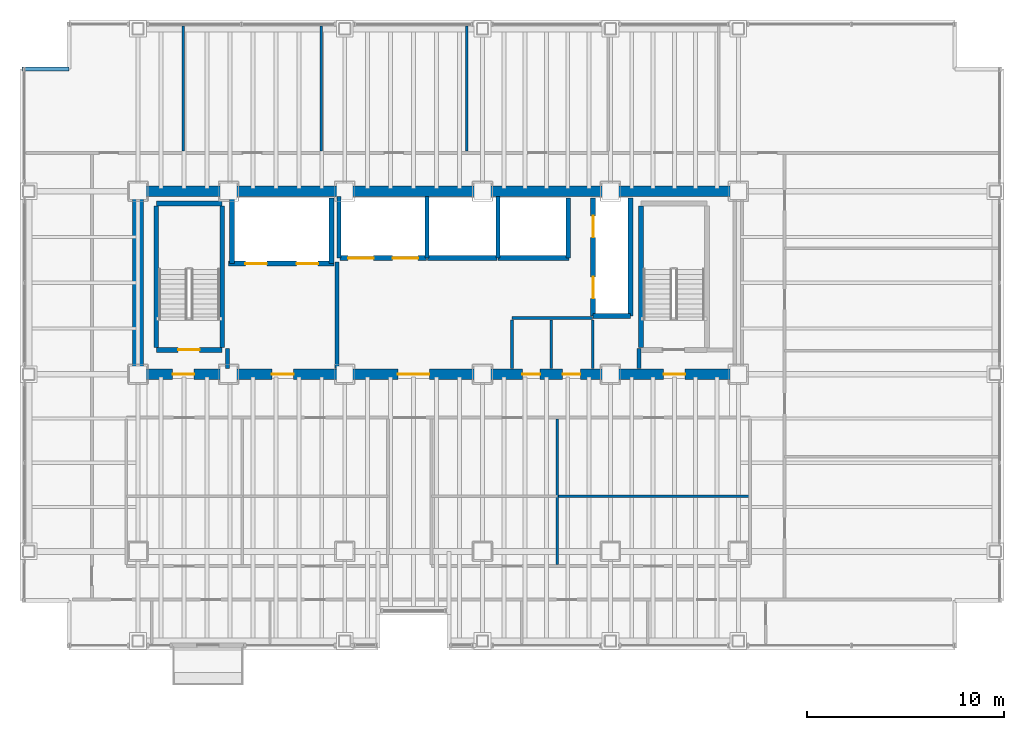
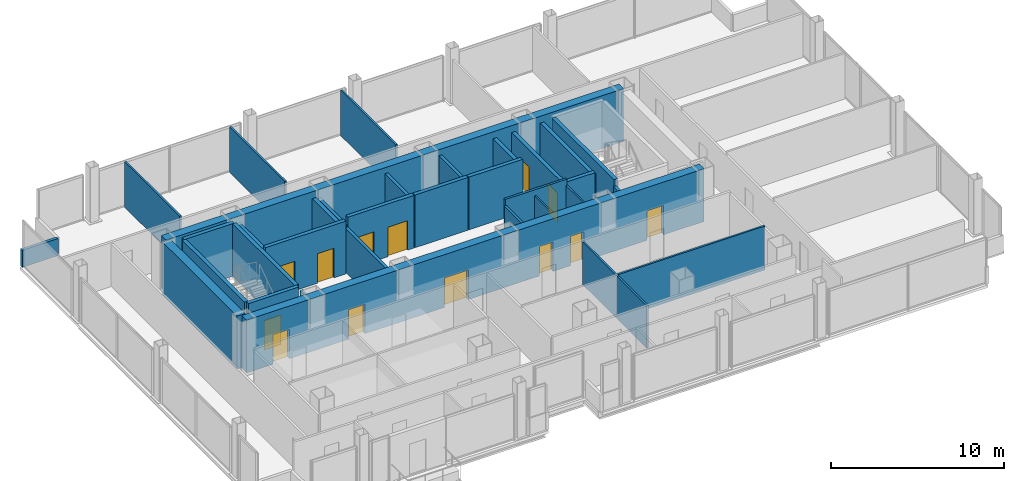
# One storey, part 18 of 20: 34 walls, 13 doors, 13 openings.
"""IFC4 building model written with IfcOpenShell, lengths in metres."""

from ifc_helpers import new_model, si_unit, direction, frame, frame_2d, origin, place, context, subcontext, project, spatial, rectangle, extrude, material, layer, layer_set, type_object, element, fill, save


model = new_model("IFC4")

# Units and contexts
model_context = context("Model", 3, precision=1e-05, world=origin(), true_north=direction((0.0, 1.0)))
body_context = subcontext(model_context, "Body", "Model", "MODEL_VIEW")
ifc_project = project(units=[si_unit("LENGTHUNIT", "METRE"), si_unit("AREAUNIT", "SQUARE_METRE"), si_unit("VOLUMEUNIT", "CUBIC_METRE"), si_unit("PLANEANGLEUNIT", "RADIAN"), si_unit("MASSUNIT", "GRAM", prefix="KILO")], contexts=[model_context])

# Site, building, storey
site_placement = place(None, origin())
site = spatial("IfcSite", under=ifc_project, at=site_placement, CompositionType="ELEMENT")
building_placement = place(site_placement, origin())
building = spatial("IfcBuilding", under=site, at=building_placement, Name="Noeulbin Bourse Tower", CompositionType="ELEMENT")
storey_placement = place(building_placement, frame((0.0, 0.0, 65.5)))
storey = spatial("IfcBuildingStorey", under=building, at=storey_placement, Name="L16", CompositionType="ELEMENT", Elevation=65.5)

# Wall, openings, doors
ifc_material_1 = material(Name="Concrete C60/75", Category="concrete")
ifc_layer_1 = layer(ifc_material_1, 0.550048828125)
ifc_layer_set_1 = layer_set([ifc_layer_1], Name="Concrete C60/75")
wall_type_1 = type_object("IfcWallType", Name="WAL-CORE-550", PredefinedType="SHEAR", material=ifc_layer_set_1)
wall_1_placement = place(storey_placement, frame((13.5, 29.0, 0.0), z_axis=(0.0, 0.0, 1.0), x_axis=(1.0, 0.0, 0.0)))
wall_1 = element("IfcWall", 1, at=wall_1_placement, inside=storey, type_object=wall_type_1, Name="Rear Core South Shear Wall L16", PredefinedType="SHEAR", context=body_context, shape_type="SweptSolid", body=[
    extrude(rectangle(XDim=30.5, YDim=0.550048828125, at=frame_2d((15.25, 0.0))), origin(), (0.0, 0.0, 1.0), 3.719970703125),
])
opening_1_placement = place(wall_1_placement, frame((1.75, 0.0, 0.0)))
opening_1 = element("IfcOpeningElement", 2, at=opening_1_placement, cuts=wall_1, Name="Opening FD-11", PredefinedType="OPENING", context=body_context, shape_type="SweptSolid", body=[
    extrude(rectangle(XDim=1.10009765625, YDim=2.080078125, at=frame_2d((0.550048828125, 1.0400390625))), frame((0.0, 0.284912109375, 0.0), z_axis=(0.0, -1.0, 0.0), x_axis=(1.0, 0.0, 0.0)), (0.0, 0.0, 1.0), 0.570068359375),
])
opening_2_placement = place(wall_1_placement, frame((26.699951171875, 0.0, 0.0)))
opening_2 = element("IfcOpeningElement", 3, at=opening_2_placement, cuts=wall_1, Name="Opening FD-11", PredefinedType="OPENING", context=body_context, shape_type="SweptSolid", body=[
    extrude(rectangle(XDim=1.10009765625, YDim=2.080078125, at=frame_2d((0.550048828125, 1.0400390625))), frame((0.0, 0.284912109375, 0.0), z_axis=(0.0, -1.0, 0.0), x_axis=(1.0, 0.0, 0.0)), (0.0, 0.0, 1.0), 0.570068359375),
])
opening_3_placement = place(wall_1_placement, frame((6.800048828125, 0.0, 0.0)))
opening_3 = element("IfcOpeningElement", 4, at=opening_3_placement, cuts=wall_1, Name="Opening FD-11", PredefinedType="OPENING", context=body_context, shape_type="SweptSolid", body=[
    extrude(rectangle(XDim=1.10009765625, YDim=2.080078125, at=frame_2d((0.550048828125, 1.0400390625))), frame((0.0, 0.284912109375, 0.0), z_axis=(0.0, -1.0, 0.0), x_axis=(1.0, 0.0, 0.0)), (0.0, 0.0, 1.0), 0.570068359375),
])
opening_4_placement = place(wall_1_placement, frame((13.199951171875, 0.0, 0.0)))
opening_4 = element("IfcOpeningElement", 5, at=opening_4_placement, cuts=wall_1, Name="Opening ID-16", PredefinedType="OPENING", context=body_context, shape_type="SweptSolid", body=[
    extrude(rectangle(XDim=1.60009765625, YDim=2.080078125, at=frame_2d((0.800048828125, 1.0400390625))), frame((0.0, 0.284912109375, 0.0), z_axis=(0.0, -1.0, 0.0), x_axis=(1.0, 0.0, 0.0)), (0.0, 0.0, 1.0), 0.570068359375),
])
opening_5_placement = place(wall_1_placement, frame((19.530029296875, 0.0, 0.0)))
opening_5 = element("IfcOpeningElement", 6, at=opening_5_placement, cuts=wall_1, Name="Opening FD-09", PredefinedType="OPENING", context=body_context, shape_type="SweptSolid", body=[
    extrude(rectangle(XDim=0.89990234375, YDim=2.080078125, at=frame_2d((0.449951171875, 1.0400390625))), frame((0.0, 0.284912109375, 0.0), z_axis=(0.0, -1.0, 0.0), x_axis=(1.0, 0.0, 0.0)), (0.0, 0.0, 1.0), 0.570068359375),
])
opening_6_placement = place(wall_1_placement, frame((21.570068359375, 0.0, 0.0)))
opening_6 = element("IfcOpeningElement", 7, at=opening_6_placement, cuts=wall_1, Name="Opening FD-09", PredefinedType="OPENING", context=body_context, shape_type="SweptSolid", body=[
    extrude(rectangle(XDim=0.89990234375, YDim=2.080078125, at=frame_2d((0.449951171875, 1.0400390625))), frame((0.0, 0.284912109375, 0.0), z_axis=(0.0, -1.0, 0.0), x_axis=(1.0, 0.0, 0.0)), (0.0, 0.0, 1.0), 0.570068359375),
])
ifc_material_2 = material(Name="Acoustic Glazed Aluminium", Category="aluminium")
door_type_1 = type_object("IfcDoorType", Name="DR-DBL-1600", OperationType="DOUBLE_DOOR_SINGLE_SWING", PredefinedType="DOOR", material=ifc_material_2)
door_1_placement = place(opening_4_placement, origin())
door_1 = element("IfcDoor", 8, at=door_1_placement, inside=storey, type_object=door_type_1, Name="Passenger Lift Lobby Portal L16", OperationType="DOUBLE_DOOR_SINGLE_SWING", OverallHeight=2.080078125, OverallWidth=1.60009765625, PredefinedType="DOOR", context=body_context, shape_type="SweptSolid", body=[
    extrude(rectangle(XDim=1.60009765625, YDim=2.080078125, at=frame_2d((0.800048828125, 1.0400390625))), frame((0.0, 0.02490234375, 0.0), z_axis=(0.0, -1.0, 0.0), x_axis=(1.0, 0.0, 0.0)), (0.0, 0.0, 1.0), 0.050048828125),
])
fill(opening_4, door_1)
ifc_material_3 = material(Name="Fire-Rated Timber Core", Category="wood")
door_type_2 = type_object("IfcDoorType", Name="DR-FD30-900", OperationType="SINGLE_SWING_RIGHT", PredefinedType="DOOR", material=ifc_material_3)
door_2_placement = place(opening_5_placement, origin())
door_2 = element("IfcDoor", 9, at=door_2_placement, inside=storey, type_object=door_type_2, Name="Interior Door L16-05", OperationType="SINGLE_SWING_RIGHT", OverallHeight=2.080078125, OverallWidth=0.89990234375, PredefinedType="DOOR", context=body_context, shape_type="SweptSolid", body=[
    extrude(rectangle(XDim=0.89990234375, YDim=2.080078125, at=frame_2d((0.449951171875, 1.0400390625))), frame((0.0, 0.02490234375, 0.0), z_axis=(0.0, -1.0, 0.0), x_axis=(1.0, 0.0, 0.0)), (0.0, 0.0, 1.0), 0.050048828125),
])
fill(opening_5, door_2)
door_3_placement = place(opening_6_placement, origin())
door_3 = element("IfcDoor", 10, at=door_3_placement, inside=storey, type_object=door_type_2, Name="Interior Door L16-06", OperationType="SINGLE_SWING_LEFT", OverallHeight=2.080078125, OverallWidth=0.89990234375, PredefinedType="DOOR", context=body_context, shape_type="SweptSolid", body=[
    extrude(rectangle(XDim=0.89990234375, YDim=2.080078125, at=frame_2d((0.449951171875, 1.0400390625))), frame((0.0, 0.02490234375, 0.0), z_axis=(0.0, -1.0, 0.0), x_axis=(1.0, 0.0, 0.0)), (0.0, 0.0, 1.0), 0.050048828125),
])
fill(opening_6, door_3)
ifc_material_4 = material(Name="Fire-Rated Insulated Steel", Category="steel")
door_type_3 = type_object("IfcDoorType", Name="DR-FD60-1100", OperationType="SINGLE_SWING_LEFT", PredefinedType="DOOR", material=ifc_material_4)
door_4_placement = place(opening_1_placement, origin())
door_4 = element("IfcDoor", 11, at=door_4_placement, inside=storey, type_object=door_type_3, Name="West Stair Lobby Door L16", OperationType="SINGLE_SWING_RIGHT", OverallHeight=2.080078125, OverallWidth=1.10009765625, PredefinedType="DOOR", context=body_context, shape_type="SweptSolid", body=[
    extrude(rectangle(XDim=1.10009765625, YDim=2.080078125, at=frame_2d((0.550048828125, 1.0400390625))), frame((0.0, 0.02490234375, 0.0), z_axis=(0.0, -1.0, 0.0), x_axis=(1.0, 0.0, 0.0)), (0.0, 0.0, 1.0), 0.050048828125),
])
fill(opening_1, door_4)
door_5_placement = place(opening_2_placement, origin())
door_5 = element("IfcDoor", 12, at=door_5_placement, inside=storey, type_object=door_type_3, Name="East Stair Lobby Door L16", OperationType="SINGLE_SWING_LEFT", OverallHeight=2.080078125, OverallWidth=1.10009765625, PredefinedType="DOOR", context=body_context, shape_type="SweptSolid", body=[
    extrude(rectangle(XDim=1.10009765625, YDim=2.080078125, at=frame_2d((0.550048828125, 1.0400390625))), frame((0.0, 0.02490234375, 0.0), z_axis=(0.0, -1.0, 0.0), x_axis=(1.0, 0.0, 0.0)), (0.0, 0.0, 1.0), 0.050048828125),
])
fill(opening_2, door_5)
door_6_placement = place(opening_3_placement, origin())
door_6 = element("IfcDoor", 13, at=door_6_placement, inside=storey, type_object=door_type_3, Name="Firefighting Lobby Door L16", OperationType="SINGLE_SWING_RIGHT", OverallHeight=2.080078125, OverallWidth=1.10009765625, PredefinedType="DOOR", context=body_context, shape_type="SweptSolid", body=[
    extrude(rectangle(XDim=1.10009765625, YDim=2.080078125, at=frame_2d((0.550048828125, 1.0400390625))), frame((0.0, 0.02490234375, 0.0), z_axis=(0.0, -1.0, 0.0), x_axis=(1.0, 0.0, 0.0)), (0.0, 0.0, 1.0), 0.050048828125),
])
fill(opening_3, door_6)

# Walls
wall_2_placement = place(storey_placement, frame((13.5, 38.300048828125, 0.0), z_axis=(0.0, 0.0, 1.0), x_axis=(1.0, 0.0, 0.0)))
element("IfcWall", 14, at=wall_2_placement, inside=storey, type_object=wall_type_1, Name="Rear Core North Shear Wall L16", PredefinedType="SHEAR", context=body_context, shape_type="SweptSolid", body=[
    extrude(rectangle(XDim=30.5, YDim=0.550048828125, at=frame_2d((15.25, 0.0))), origin(), (0.0, 0.0, 1.0), 3.719970703125),
])
wall_3_placement = place(storey_placement, frame((13.5, 29.35009765625, 0.0), z_axis=(0.0, 0.0, 1.0), x_axis=(0.0, 1.0, 0.0)))
element("IfcWall", 15, at=wall_3_placement, inside=storey, type_object=wall_type_1, Name="Rear Core West Shear Wall L16", PredefinedType="SHEAR", context=body_context, shape_type="SweptSolid", body=[
    extrude(rectangle(XDim=8.599853515625, YDim=0.550048828125, at=frame_2d((4.2998046875, 0.0))), origin(), (0.0, 0.0, 1.0), 3.719970703125),
])
ifc_material_5 = material(Name="Concrete C40/50", Category="concrete")
ifc_layer_2 = layer(ifc_material_5, 0.199951171875)
ifc_layer_set_2 = layer_set([ifc_layer_2], Name="Concrete C40/50")
wall_type_2 = type_object("IfcWallType", Name="WAL-FIRE-200", PredefinedType="STANDARD", material=ifc_layer_set_2)
for number, where, z_axis, x_axis, name in (
    (16, (18.050048828125, 29.284912109375, 0.0), (0.0, 0.0, 1.0), (0.0, 1.0, 0.0), "Interior Partition Wall L16-15"),
    (17, (38.949951171875, 29.284912109375, 0.0), (0.0, 0.0, 1.0), (0.0, 1.0, 0.0), "Interior Partition Wall L16-16"),
):
    element("IfcWall", number, at=place(storey_placement, frame(where, z_axis=z_axis, x_axis=x_axis)), inside=storey, type_object=wall_type_2, Name=name, PredefinedType="STANDARD", context=body_context, shape_type="SweptSolid", body=[
        extrude(rectangle(XDim=1.01513671875, YDim=0.199951171875, at=frame_2d((0.507568359375, 0.0))), origin(), (0.0, 0.0, 1.0), 3.300048828125),
    ])
wall_4_placement = place(storey_placement, frame((23.60009765625, 29.284912109375, 0.0), z_axis=(0.0, 0.0, 1.0), x_axis=(0.0, 1.0, 0.0)))
element("IfcWall", 18, at=wall_4_placement, inside=storey, type_object=wall_type_2, Name="Interior Partition Wall L16-17", PredefinedType="STANDARD", context=body_context, shape_type="SweptSolid", body=[
    extrude(rectangle(XDim=5.4150390625, YDim=0.199951171875, at=frame_2d((2.70751953125, 0.0))), origin(), (0.0, 0.0, 1.0), 3.10009765625),
])
ifc_layer_3 = layer(ifc_material_5, 0.199951171875)
ifc_layer_set_3 = layer_set([ifc_layer_3], Name="Concrete C40/50")
wall_type_3 = type_object("IfcWallType", Name="WAL-PAR-200", PredefinedType="PARAPET", material=ifc_layer_set_3)
wall_5_placement = place(storey_placement, frame((7.60009765625, 44.5, 0.0), z_axis=(0.0, 0.0, 1.0), x_axis=(1.0, 0.0, 0.0)))
element("IfcWall", 19, at=wall_5_placement, inside=storey, type_object=wall_type_3, Name="Corner Notch Parapet L16-NW1", PredefinedType="PARAPET", context=body_context, shape_type="SweptSolid", body=[
    extrude(rectangle(XDim=2.39990234375, YDim=0.199951171875, at=frame_2d((1.199951171875, 0.0))), origin(), (0.0, 0.0, 1.0), 1.199951171875),
])
ifc_material_6 = material(Name="Steel Stud Gypsum Partition", Category="steel")
ifc_layer_4 = layer(ifc_material_6, 0.1201171875)
ifc_layer_set_4 = layer_set([ifc_layer_4], Name="Steel Stud Gypsum Partition")
wall_type_4 = type_object("IfcWallType", Name="WAL-PRT-120", PredefinedType="PARTITIONING", material=ifc_layer_set_4)
wall_6_placement = place(storey_placement, frame((34.800048828125, 22.800048828125, 0.0), z_axis=(0.0, 0.0, 1.0), x_axis=(1.0, 0.0, 0.0)))
element("IfcWall", 20, at=wall_6_placement, inside=storey, type_object=wall_type_4, Name="Interior Partition Wall L16-10", PredefinedType="PARTITIONING", context=body_context, shape_type="SweptSolid", body=[
    extrude(rectangle(XDim=9.800048828125, YDim=0.1201171875, at=frame_2d((4.89990234375, 0.0))), origin(), (0.0, 0.0, 1.0), 3.10009765625),
])
for number, where, z_axis, x_axis, name in (
    (21, (36.60009765625, 29.284912109375, 0.0), (0.0, 0.0, 1.0), (0.0, 1.0, 0.0), "Interior Partition Wall L16-19"),
    (22, (34.5, 29.284912109375, 0.0), (0.0, 0.0, 1.0), (0.0, 1.0, 0.0), "Interior Partition Wall L16-20"),
):
    element("IfcWall", number, at=place(storey_placement, frame(where, z_axis=z_axis, x_axis=x_axis)), inside=storey, type_object=wall_type_4, Name=name, PredefinedType="PARTITIONING", context=body_context, shape_type="SweptSolid", body=[
        extrude(rectangle(XDim=2.47998046875, YDim=0.1201171875, at=frame_2d((1.239990234375, 0.0))), origin(), (0.0, 0.0, 1.0), 3.300048828125),
    ])
wall_7_placement = place(storey_placement, frame((34.800048828125, 19.3349609375, 0.0), z_axis=(0.0, 0.0, 1.0), x_axis=(0.0, 1.0, 0.0)))
element("IfcWall", 23, at=wall_7_placement, inside=storey, type_object=wall_type_4, Name="Interior Partition Wall L16-33", PredefinedType="PARTITIONING", context=body_context, shape_type="SweptSolid", body=[
    extrude(rectangle(XDim=7.380126953125, YDim=0.1201171875, at=frame_2d((3.68994140625, 0.0))), origin(), (0.0, 0.0, 1.0), 3.0),
])
for number, where, z_axis, x_axis, name in (
    (24, (15.800048828125, 40.3349609375, 0.0), (0.0, 0.0, 1.0), (0.0, 1.0, 0.0), "Interior Partition Wall L16-34"),
    (25, (22.800048828125, 40.3349609375, 0.0), (0.0, 0.0, 1.0), (0.0, 1.0, 0.0), "Interior Partition Wall L16-35"),
    (26, (30.199951171875, 40.3349609375, 0.0), (0.0, 0.0, 1.0), (0.0, 1.0, 0.0), "Interior Partition Wall L16-36"),
):
    element("IfcWall", number, at=place(storey_placement, frame(where, z_axis=z_axis, x_axis=x_axis)), inside=storey, type_object=wall_type_4, Name=name, PredefinedType="PARTITIONING", context=body_context, shape_type="SweptSolid", body=[
        extrude(rectangle(XDim=6.35498046875, YDim=0.1201171875, at=frame_2d((3.177490234375, 0.0))), origin(), (0.0, 0.0, 1.0), 3.2119140625),
    ])
ifc_material_7 = material(Name="Steel Stud Acoustic Gypsum Board", Category="steel")
ifc_layer_5 = layer(ifc_material_7, 0.14990234375)
ifc_layer_set_5 = layer_set([ifc_layer_5], Name="Steel Stud Acoustic Gypsum Board")
wall_type_5 = type_object("IfcWallType", Name="WAL-PRT-150", PredefinedType="PARTITIONING", material=ifc_layer_set_5)
wall_8_placement = place(storey_placement, frame((32.5, 31.85009765625, 0.0), z_axis=(0.0, 0.0, 1.0), x_axis=(1.0, 0.0, 0.0)))
element("IfcWall", 27, at=wall_8_placement, inside=storey, type_object=wall_type_5, Name="Interior Partition Wall L16-02", PredefinedType="PARTITIONING", context=body_context, shape_type="SweptSolid", body=[
    extrude(rectangle(XDim=4.10009765625, YDim=0.14990234375, at=frame_2d((2.050048828125, 0.0))), origin(), (0.0, 0.0, 1.0), 3.719970703125),
])
wall_9_placement = place(storey_placement, frame((32.5, 29.284912109375, 0.0), z_axis=(0.0, 0.0, 1.0), x_axis=(0.0, 1.0, 0.0)))
element("IfcWall", 28, at=wall_9_placement, inside=storey, type_object=wall_type_5, Name="Interior Partition Wall L16-18", PredefinedType="PARTITIONING", context=body_context, shape_type="SweptSolid", body=[
    extrude(rectangle(XDim=2.47998046875, YDim=0.14990234375, at=frame_2d((1.239990234375, 0.0))), origin(), (0.0, 0.0, 1.0), 3.300048828125),
])

# Wall, opening, door
ifc_layer_6 = layer(ifc_material_5, 0.25)
ifc_layer_set_6 = layer_set([ifc_layer_6], Name="Concrete C40/50")
wall_type_6 = type_object("IfcWallType", Name="WAL-SHFT-250", PredefinedType="STANDARD", material=ifc_layer_set_6)
wall_10_placement = place(storey_placement, frame((14.429931640625, 30.235107421875, 0.0), z_axis=(0.0, 0.0, 1.0), x_axis=(1.0, 0.0, 0.0)))
wall_10 = element("IfcWall", 29, at=wall_10_placement, inside=storey, type_object=wall_type_6, Name="Stair ST-1 South Shaft Wall L16", PredefinedType="STANDARD", context=body_context, shape_type="SweptSolid", body=[
    extrude(rectangle(XDim=3.340087890625, YDim=0.25, at=frame_2d((1.669921875, 0.0))), origin(), (0.0, 0.0, 1.0), 3.719970703125),
])
opening_7_placement = place(wall_10_placement, frame((1.10009765625, 0.0, 0.0)))
opening_7 = element("IfcOpeningElement", 30, at=opening_7_placement, cuts=wall_10, Name="Opening FD-11", PredefinedType="OPENING", context=body_context, shape_type="SweptSolid", body=[
    extrude(rectangle(XDim=1.10009765625, YDim=2.080078125, at=frame_2d((0.550048828125, 1.0400390625))), frame((0.0, 0.135009765625, 0.0), z_axis=(0.0, -1.0, 0.0), x_axis=(1.0, 0.0, 0.0)), (0.0, 0.0, 1.0), 0.27001953125),
])
door_7_placement = place(opening_7_placement, origin())
door_7 = element("IfcDoor", 31, at=door_7_placement, inside=storey, type_object=door_type_3, Name="Protected Stair Entry Door ST1-L16", OperationType="SINGLE_SWING_RIGHT", OverallHeight=2.080078125, OverallWidth=1.10009765625, PredefinedType="DOOR", context=body_context, shape_type="SweptSolid", body=[
    extrude(rectangle(XDim=1.10009765625, YDim=2.080078125, at=frame_2d((0.550048828125, 1.0400390625))), frame((0.0, 0.02490234375, 0.0), z_axis=(0.0, -1.0, 0.0), x_axis=(1.0, 0.0, 0.0)), (0.0, 0.0, 1.0), 0.050048828125),
])
fill(opening_7, door_7)

# Walls
wall_11_placement = place(storey_placement, frame((14.429931640625, 37.6689453125, 0.0), z_axis=(0.0, 0.0, 1.0), x_axis=(1.0, 0.0, 0.0)))
element("IfcWall", 32, at=wall_11_placement, inside=storey, type_object=wall_type_6, Name="Stair ST-1 North Shaft Wall L16", PredefinedType="STANDARD", context=body_context, shape_type="SweptSolid", body=[
    extrude(rectangle(XDim=3.340087890625, YDim=0.25, at=frame_2d((1.669921875, 0.0))), origin(), (0.0, 0.0, 1.0), 3.719970703125),
])
for number, where, z_axis, x_axis, name in (
    (33, (14.425048828125, 30.360107421875, 0.0), (0.0, 0.0, 1.0), (0.0, 1.0, 0.0), "Stair ST-1 West Shaft Wall L16"),
    (34, (17.77490234375, 30.360107421875, 0.0), (0.0, 0.0, 1.0), (0.0, 1.0, 0.0), "Stair ST-1 East Shaft Wall L16"),
    (35, (39.054931640625, 30.360107421875, 0.0), (0.0, 0.0, 1.0), (0.0, 1.0, 0.0), "Stair ST-2 West Shaft Wall L16"),
):
    element("IfcWall", number, at=place(storey_placement, frame(where, z_axis=z_axis, x_axis=x_axis)), inside=storey, type_object=wall_type_6, Name=name, PredefinedType="STANDARD", context=body_context, shape_type="SweptSolid", body=[
        extrude(rectangle(XDim=7.183837890625, YDim=0.25, at=frame_2d((3.591796875, 0.0))), origin(), (0.0, 0.0, 1.0), 3.719970703125),
    ])

# Wall, openings, doors
wall_12_placement = place(storey_placement, frame((18.10009765625, 34.6201171875, 0.0), z_axis=(0.0, 0.0, 1.0), x_axis=(1.0, 0.0, 0.0)))
wall_12 = element("IfcWall", 36, at=wall_12_placement, inside=storey, type_object=wall_type_6, Name="Firefighting Lift Shaft Front L16", PredefinedType="STANDARD", context=body_context, shape_type="SweptSolid", body=[
    extrude(rectangle(XDim=5.349853515625, YDim=0.25, at=frame_2d((2.6748046875, 0.0))), origin(), (0.0, 0.0, 1.0), 3.719970703125),
])
opening_8_placement = place(wall_12_placement, frame((0.85009765625, 0.0, 0.0)))
opening_8 = element("IfcOpeningElement", 37, at=opening_8_placement, cuts=wall_12, Name="Opening LD-11", PredefinedType="OPENING", context=body_context, shape_type="SweptSolid", body=[
    extrude(rectangle(XDim=1.10009765625, YDim=2.080078125, at=frame_2d((0.550048828125, 1.0400390625))), frame((0.0, 0.135009765625, 0.0), z_axis=(0.0, -1.0, 0.0), x_axis=(1.0, 0.0, 0.0)), (0.0, 0.0, 1.0), 0.27001953125),
])
opening_9_placement = place(wall_12_placement, frame((3.449951171875, 0.0, 0.0)))
opening_9 = element("IfcOpeningElement", 38, at=opening_9_placement, cuts=wall_12, Name="Opening LD-11", PredefinedType="OPENING", context=body_context, shape_type="SweptSolid", body=[
    extrude(rectangle(XDim=1.10009765625, YDim=2.080078125, at=frame_2d((0.550048828125, 1.0400390625))), frame((0.0, 0.135009765625, 0.0), z_axis=(0.0, -1.0, 0.0), x_axis=(1.0, 0.0, 0.0)), (0.0, 0.0, 1.0), 0.27001953125),
])
ifc_material_8 = material(Name="Brushed Stainless Steel 316", Category="steel")
door_type_4 = type_object("IfcDoorType", Name="DR-LIFT-1100", OperationType="SLIDING_TO_LEFT", PredefinedType="DOOR", material=ifc_material_8)
door_8_placement = place(opening_8_placement, origin())
door_8 = element("IfcDoor", 39, at=door_8_placement, inside=storey, type_object=door_type_4, Name="Lift Landing Door LD-FL-01-L16", OperationType="SLIDING_TO_LEFT", OverallHeight=2.080078125, OverallWidth=1.10009765625, PredefinedType="DOOR", context=body_context, shape_type="SweptSolid", body=[
    extrude(rectangle(XDim=1.10009765625, YDim=2.080078125, at=frame_2d((0.550048828125, 1.0400390625))), frame((0.0, 0.02490234375, 0.0), z_axis=(0.0, -1.0, 0.0), x_axis=(1.0, 0.0, 0.0)), (0.0, 0.0, 1.0), 0.050048828125),
])
fill(opening_8, door_8)
door_9_placement = place(opening_9_placement, origin())
door_9 = element("IfcDoor", 40, at=door_9_placement, inside=storey, type_object=door_type_4, Name="Lift Landing Door LD-FL-02-L16", OperationType="SLIDING_TO_LEFT", OverallHeight=2.080078125, OverallWidth=1.10009765625, PredefinedType="DOOR", context=body_context, shape_type="SweptSolid", body=[
    extrude(rectangle(XDim=1.10009765625, YDim=2.080078125, at=frame_2d((0.550048828125, 1.0400390625))), frame((0.0, 0.02490234375, 0.0), z_axis=(0.0, -1.0, 0.0), x_axis=(1.0, 0.0, 0.0)), (0.0, 0.0, 1.0), 0.050048828125),
])
fill(opening_9, door_9)

wall_13_placement = place(storey_placement, frame((36.6201171875, 31.949951171875, 0.0), z_axis=(0.0, 0.0, 1.0), x_axis=(0.0, 1.0, 0.0)))
wall_13 = element("IfcWall", 41, at=wall_13_placement, inside=storey, type_object=wall_type_6, Name="Service Lift Shaft Wall L16", PredefinedType="STANDARD", context=body_context, shape_type="SweptSolid", body=[
    extrude(rectangle(XDim=6.0, YDim=0.25, at=frame_2d((3.0, 0.0))), origin(), (0.0, 0.0, 1.0), 3.300048828125),
])
opening_10_placement = place(wall_13_placement, frame((0.89990234375, 0.0, 0.0)))
opening_10 = element("IfcOpeningElement", 42, at=opening_10_placement, cuts=wall_13, Name="Opening LD-11", PredefinedType="OPENING", context=body_context, shape_type="SweptSolid", body=[
    extrude(rectangle(XDim=1.10009765625, YDim=2.080078125, at=frame_2d((0.550048828125, 1.0400390625))), frame((0.0, 0.135009765625, 0.0), z_axis=(0.0, -1.0, 0.0), x_axis=(1.0, 0.0, 0.0)), (0.0, 0.0, 1.0), 0.27001953125),
])
opening_11_placement = place(wall_13_placement, frame((4.0, 0.0, 0.0)))
opening_11 = element("IfcOpeningElement", 43, at=opening_11_placement, cuts=wall_13, Name="Opening LD-11", PredefinedType="OPENING", context=body_context, shape_type="SweptSolid", body=[
    extrude(rectangle(XDim=1.10009765625, YDim=2.080078125, at=frame_2d((0.550048828125, 1.0400390625))), frame((0.0, 0.135009765625, 0.0), z_axis=(0.0, -1.0, 0.0), x_axis=(1.0, 0.0, 0.0)), (0.0, 0.0, 1.0), 0.27001953125),
])
door_10_placement = place(opening_10_placement, origin())
door_10 = element("IfcDoor", 44, at=door_10_placement, inside=storey, type_object=door_type_4, Name="Lift Landing Door LD-EL-01-L16", OperationType="SLIDING_TO_LEFT", OverallHeight=2.080078125, OverallWidth=1.10009765625, PredefinedType="DOOR", context=body_context, shape_type="SweptSolid", body=[
    extrude(rectangle(XDim=1.10009765625, YDim=2.080078125, at=frame_2d((0.550048828125, 1.0400390625))), frame((0.0, 0.02490234375, 0.0), z_axis=(0.0, -1.0, 0.0), x_axis=(1.0, 0.0, 0.0)), (0.0, 0.0, 1.0), 0.050048828125),
])
fill(opening_10, door_10)
door_11_placement = place(opening_11_placement, origin())
door_11 = element("IfcDoor", 45, at=door_11_placement, inside=storey, type_object=door_type_4, Name="Lift Landing Door LD-SV-01-L16", OperationType="SLIDING_TO_LEFT", OverallHeight=2.080078125, OverallWidth=1.10009765625, PredefinedType="DOOR", context=body_context, shape_type="SweptSolid", body=[
    extrude(rectangle(XDim=1.10009765625, YDim=2.080078125, at=frame_2d((0.550048828125, 1.0400390625))), frame((0.0, 0.02490234375, 0.0), z_axis=(0.0, -1.0, 0.0), x_axis=(1.0, 0.0, 0.0)), (0.0, 0.0, 1.0), 0.050048828125),
])
fill(opening_11, door_11)

# Walls
wall_14_placement = place(storey_placement, frame((38.52001953125, 31.949951171875, 0.0), z_axis=(0.0, 0.0, 1.0), x_axis=(0.0, 1.0, 0.0)))
element("IfcWall", 46, at=wall_14_placement, inside=storey, type_object=wall_type_6, Name="Service Lift East Shaft Wall L16", PredefinedType="STANDARD", context=body_context, shape_type="SweptSolid", body=[
    extrude(rectangle(XDim=6.0, YDim=0.25, at=frame_2d((3.0, 0.0))), origin(), (0.0, 0.0, 1.0), 3.300048828125),
])
wall_15_placement = place(storey_placement, frame((36.6201171875, 31.949951171875, 0.0), z_axis=(0.0, 0.0, 1.0), x_axis=(1.0, 0.0, 0.0)))
element("IfcWall", 47, at=wall_15_placement, inside=storey, type_object=wall_type_6, Name="Service Lift South Shaft Wall L16", PredefinedType="STANDARD", context=body_context, shape_type="SweptSolid", body=[
    extrude(rectangle(XDim=1.89990234375, YDim=0.25, at=frame_2d((0.949951171875, 0.0))), origin(), (0.0, 0.0, 1.0), 3.47998046875),
])
for number, where, z_axis, x_axis, name in (
    (48, (18.280029296875, 34.6201171875, 0.0), (0.0, 0.0, 1.0), (0.0, 1.0, 0.0), "Firefighting Lift West Shaft Wall L16"),
    (49, (23.320068359375, 34.6201171875, 0.0), (0.0, 0.0, 1.0), (0.0, 1.0, 0.0), "Firefighting Lift East Shaft Wall L16"),
):
    element("IfcWall", number, at=place(storey_placement, frame(where, z_axis=z_axis, x_axis=x_axis)), inside=storey, type_object=wall_type_6, Name=name, PredefinedType="STANDARD", context=body_context, shape_type="SweptSolid", body=[
        extrude(rectangle(XDim=3.329833984375, YDim=0.25, at=frame_2d((1.6650390625, 0.0))), origin(), (0.0, 0.0, 1.0), 3.300048828125),
    ])
wall_16_placement = place(storey_placement, frame((35.360107421875, 34.89990234375, 0.0), z_axis=(0.0, 0.0, 1.0), x_axis=(0.0, 1.0, 0.0)))
element("IfcWall", 50, at=wall_16_placement, inside=storey, type_object=wall_type_6, Name="High-Rise Lift East Shaft Wall L16", PredefinedType="STANDARD", context=body_context, shape_type="SweptSolid", body=[
    extrude(rectangle(XDim=3.050048828125, YDim=0.25, at=frame_2d((1.52490234375, 0.0))), origin(), (0.0, 0.0, 1.0), 3.300048828125),
])

# Wall, openings, doors
wall_17_placement = place(storey_placement, frame((23.75, 34.89990234375, 0.0), z_axis=(0.0, 0.0, 1.0), x_axis=(1.0, 0.0, 0.0)))
wall_17 = element("IfcWall", 51, at=wall_17_placement, inside=storey, type_object=wall_type_6, Name="Low-Rise Lift Bank Front L16", PredefinedType="STANDARD", context=body_context, shape_type="SweptSolid", body=[
    extrude(rectangle(XDim=4.39990234375, YDim=0.25, at=frame_2d((2.199951171875, 0.0))), origin(), (0.0, 0.0, 1.0), 3.719970703125),
])
opening_12_placement = place(wall_17_placement, frame((0.419921875, 0.0, 0.0)))
opening_12 = element("IfcOpeningElement", 52, at=opening_12_placement, cuts=wall_17, Name="Opening LD-13", PredefinedType="OPENING", context=body_context, shape_type="SweptSolid", body=[
    extrude(rectangle(XDim=1.300048828125, YDim=2.080078125, at=frame_2d((0.64990234375, 1.0400390625))), frame((0.0, 0.135009765625, 0.0), z_axis=(0.0, -1.0, 0.0), x_axis=(1.0, 0.0, 0.0)), (0.0, 0.0, 1.0), 0.27001953125),
])
opening_13_placement = place(wall_17_placement, frame((2.679931640625, 0.0, 0.0)))
opening_13 = element("IfcOpeningElement", 53, at=opening_13_placement, cuts=wall_17, Name="Opening LD-13", PredefinedType="OPENING", context=body_context, shape_type="SweptSolid", body=[
    extrude(rectangle(XDim=1.300048828125, YDim=2.080078125, at=frame_2d((0.64990234375, 1.0400390625))), frame((0.0, 0.135009765625, 0.0), z_axis=(0.0, -1.0, 0.0), x_axis=(1.0, 0.0, 0.0)), (0.0, 0.0, 1.0), 0.27001953125),
])
door_type_5 = type_object("IfcDoorType", Name="DR-LIFT-1300", OperationType="DOUBLE_DOOR_SLIDING", PredefinedType="DOOR", material=ifc_material_8)
door_12_placement = place(opening_12_placement, origin())
door_12 = element("IfcDoor", 54, at=door_12_placement, inside=storey, type_object=door_type_5, Name="Lift Landing Door LD-PL-L1-L16", OperationType="DOUBLE_DOOR_SLIDING", OverallHeight=2.080078125, OverallWidth=1.300048828125, PredefinedType="DOOR", context=body_context, shape_type="SweptSolid", body=[
    extrude(rectangle(XDim=1.300048828125, YDim=2.080078125, at=frame_2d((0.64990234375, 1.0400390625))), frame((0.0, 0.02490234375, 0.0), z_axis=(0.0, -1.0, 0.0), x_axis=(1.0, 0.0, 0.0)), (0.0, 0.0, 1.0), 0.050048828125),
])
fill(opening_12, door_12)
door_13_placement = place(opening_13_placement, origin())
door_13 = element("IfcDoor", 55, at=door_13_placement, inside=storey, type_object=door_type_5, Name="Lift Landing Door LD-PL-L2-L16", OperationType="DOUBLE_DOOR_SLIDING", OverallHeight=2.080078125, OverallWidth=1.300048828125, PredefinedType="DOOR", context=body_context, shape_type="SweptSolid", body=[
    extrude(rectangle(XDim=1.300048828125, YDim=2.080078125, at=frame_2d((0.64990234375, 1.0400390625))), frame((0.0, 0.02490234375, 0.0), z_axis=(0.0, -1.0, 0.0), x_axis=(1.0, 0.0, 0.0)), (0.0, 0.0, 1.0), 0.050048828125),
])
fill(opening_13, door_13)

# Walls
wall_18_placement = place(storey_placement, frame((28.199951171875, 34.89990234375, 0.0), z_axis=(0.0, 0.0, 1.0), x_axis=(1.0, 0.0, 0.0)))
element("IfcWall", 56, at=wall_18_placement, inside=storey, type_object=wall_type_6, Name="Mid-Rise Lift Bank Front L16", PredefinedType="STANDARD", context=body_context, shape_type="SweptSolid", body=[
    extrude(rectangle(XDim=3.550048828125, YDim=0.25, at=frame_2d((1.77490234375, 0.0))), origin(), (0.0, 0.0, 1.0), 3.719970703125),
])
wall_19_placement = place(storey_placement, frame((31.800048828125, 34.89990234375, 0.0), z_axis=(0.0, 0.0, 1.0), x_axis=(1.0, 0.0, 0.0)))
element("IfcWall", 57, at=wall_19_placement, inside=storey, type_object=wall_type_6, Name="High-Rise Lift Bank Front L16", PredefinedType="STANDARD", context=body_context, shape_type="SweptSolid", body=[
    extrude(rectangle(XDim=3.599853515625, YDim=0.25, at=frame_2d((1.7998046875, 0.0))), origin(), (0.0, 0.0, 1.0), 3.719970703125),
])
wall_20_placement = place(storey_placement, frame((23.719970703125, 34.89990234375, 0.0), z_axis=(0.0, 0.0, 1.0), x_axis=(0.0, 1.0, 0.0)))
element("IfcWall", 58, at=wall_20_placement, inside=storey, type_object=wall_type_6, Name="Hoistway Side Shaft Wall L16-PLLW", PredefinedType="STANDARD", context=body_context, shape_type="SweptSolid", body=[
    extrude(rectangle(XDim=3.1201171875, YDim=0.199951171875, at=frame_2d((1.56005859375, 0.0))), origin(), (0.0, 0.0, 1.0), 3.10009765625),
])
for number, where, z_axis, x_axis, name in (
    (59, (28.179931640625, 34.89990234375, 0.0), (0.0, 0.0, 1.0), (0.0, 1.0, 0.0), "Hoistway Side Shaft Wall L16-PLMW"),
    (60, (31.780029296875, 34.89990234375, 0.0), (0.0, 0.0, 1.0), (0.0, 1.0, 0.0), "Hoistway Side Shaft Wall L16-PLHW"),
):
    element("IfcWall", number, at=place(storey_placement, frame(where, z_axis=z_axis, x_axis=x_axis)), inside=storey, type_object=wall_type_6, Name=name, PredefinedType="STANDARD", context=body_context, shape_type="SweptSolid", body=[
        extrude(rectangle(XDim=3.1201171875, YDim=0.199951171875, at=frame_2d((1.56005859375, 0.0))), origin(), (0.0, 0.0, 1.0), 3.300048828125),
    ])

save(model, "model.ifc")
